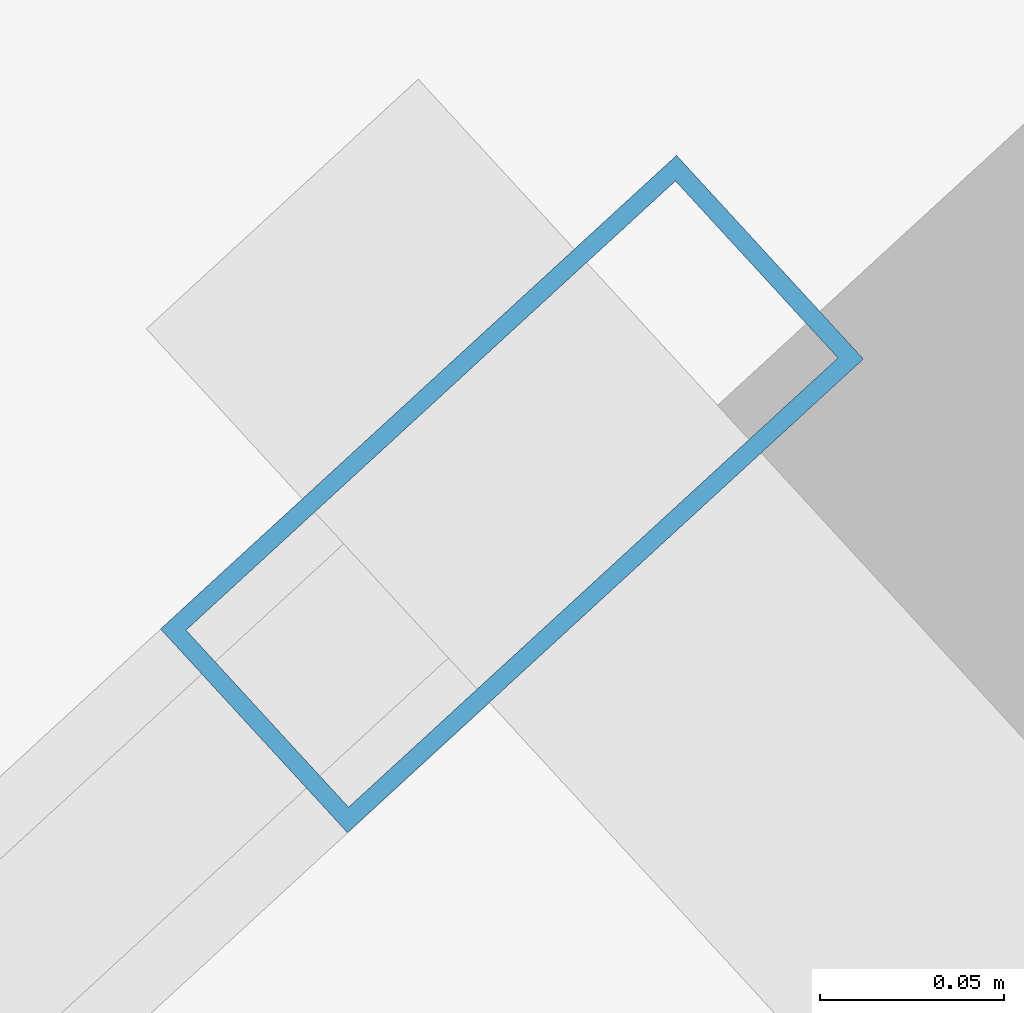
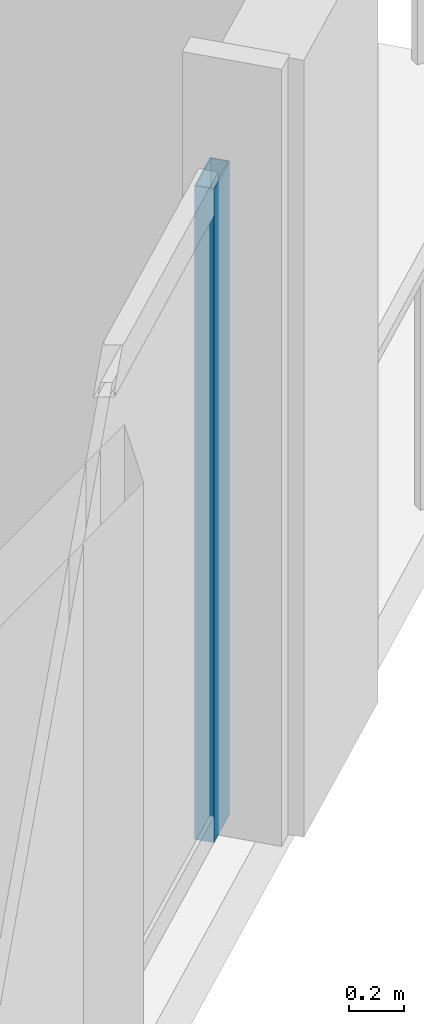
# One storey, part 12 of 32: 1 member, 1 element without a shape of its own.
"""IFC4 building model written with IfcOpenShell, lengths in metres."""

from ifc_helpers import new_model, si_unit, direction, frame, origin, origin_2d, place, context, subcontext, project, spatial, hollow_rectangle, extrude, material, material_profile, profile_set, type_object, element, aggregate, save


model = new_model("IFC4")

# Units and contexts
model_context = context("Model", 3, precision=1e-05, world=origin(), true_north=direction((0.0, 1.0)))
body_context = subcontext(model_context, "Body", "Model", "MODEL_VIEW")
ifc_project = project(units=[si_unit("LENGTHUNIT", "METRE"), si_unit("AREAUNIT", "SQUARE_METRE"), si_unit("VOLUMEUNIT", "CUBIC_METRE"), si_unit("PLANEANGLEUNIT", "RADIAN"), si_unit("MASSUNIT", "GRAM", prefix="KILO")], contexts=[model_context])

# Site, building, storey
site_placement = place(None, origin())
site = spatial("IfcSite", under=ifc_project, at=site_placement, CompositionType="ELEMENT")
building_placement = place(site_placement, origin())
building = spatial("IfcBuilding", under=site, at=building_placement, Name="Haldenkirk Collegiate Tower", CompositionType="ELEMENT")
storey_placement = place(building_placement, frame((0.0, 0.0, 170.699951171875)))
storey = spatial("IfcBuildingStorey", under=building, at=storey_placement, Name="L42", CompositionType="ELEMENT", Elevation=170.699951171875)

# Curtain wall, member
ifc_material = material(Name="Anodised architectural bronze aluminium", Category="aluminium")
curtain_wall_type = type_object("IfcCurtainWallType", Name="CW-SYS2-CONCAVE", PredefinedType="USERDEFINED", material=ifc_material)
curtain_wall_placement = place(storey_placement, origin())
curtain_wall = element("IfcCurtainWall", 1, at=curtain_wall_placement, inside=storey, type_object=curtain_wall_type, Name="L42 South concave recessed bronze-anodised curtain wall", ObjectType="UNITISED CURTAIN WALL", PredefinedType="USERDEFINED")
ifc_material_profile = material_profile(ifc_material, hollow_rectangle(XDim=0.074951171875, YDim=0.18994140625, WallThickness=0.0048828125, at=origin_2d()), Name="CW-MUL-02")
ifc_profile_set = profile_set([ifc_material_profile], Name="Anodised architectural bronze aluminium")
member_type = type_object("IfcMemberType", Name="CW-MUL-02", PredefinedType="MULLION", material=ifc_profile_set)
member_placement = place(storey_placement, frame((66.658935546875, 22.046630859375, 0.0), z_axis=(0.0, 0.0, 1.0), x_axis=(0.676232341046, -0.736688415087, 0.0)))
member = element("IfcMember", 2, at=member_placement, type_object=member_type, Name="CW-02 mullion 1", PredefinedType="MULLION", context=body_context, shape_type="SweptSolid", body=[
    extrude(hollow_rectangle(XDim=0.074951171875, YDim=0.18994140625, WallThickness=0.0048828125, at=origin_2d()), origin(), (0.0, 0.0, 1.0), 2.9111328125),
])
aggregate(curtain_wall, [member])

save(model, "model.ifc")
